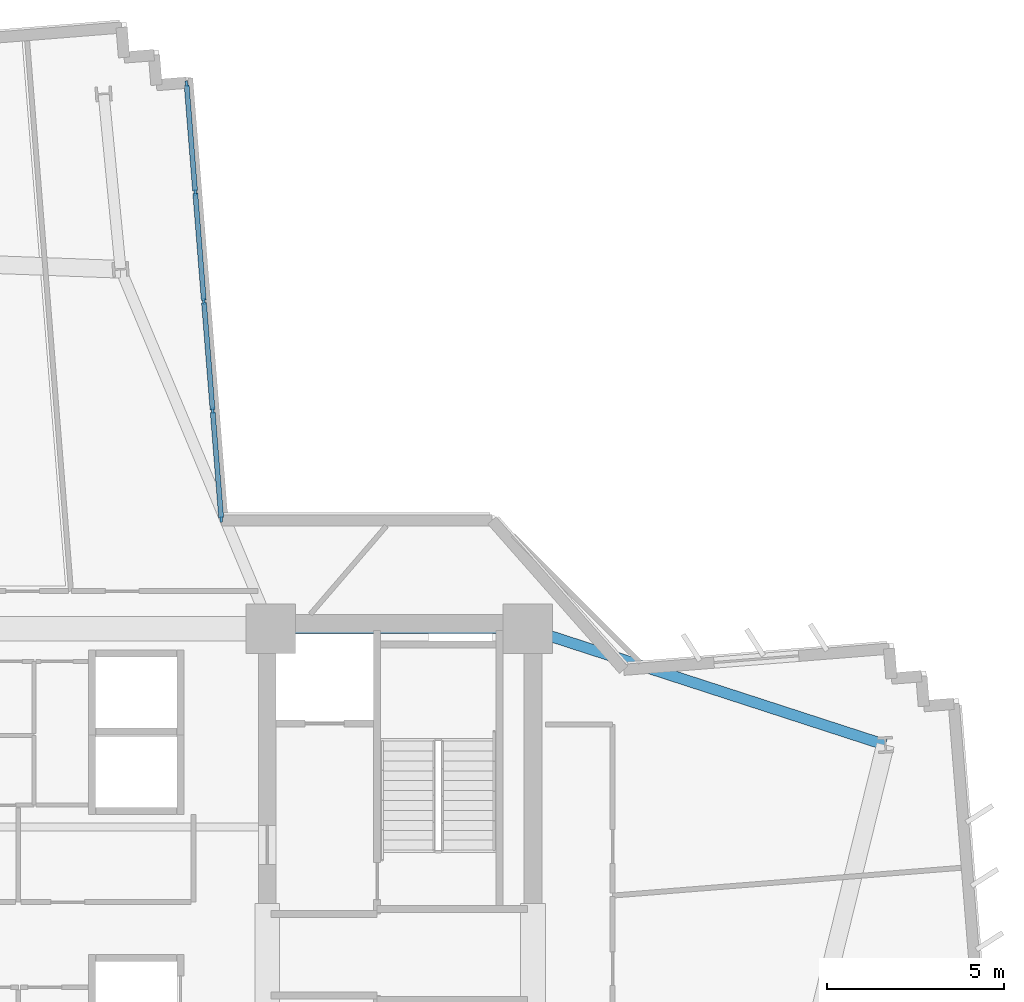
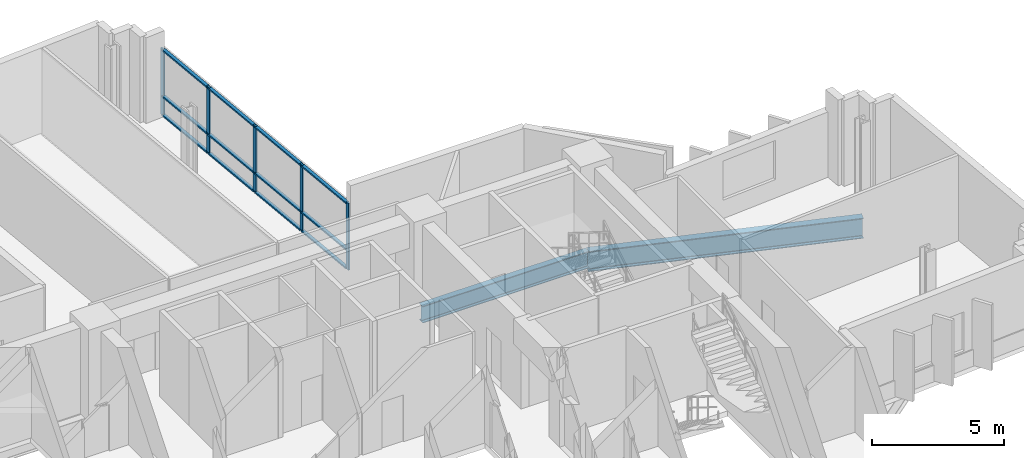
# One storey, part 4 of 15: 17 members, 2 beams, 1 element without a shape of its own.
"""IFC4 building model written with IfcOpenShell, lengths in metres."""

from ifc_helpers import new_model, si_unit, direction, frame, origin, origin_2d, place, context, subcontext, project, spatial, rectangle, i_section, extrude, source, transform, mapped, material, layer, layer_set, material_profile, profile_set, type_object, element, aggregate, save


model = new_model("IFC4")

# Units and contexts
model_context = context("Model", 3, precision=1e-05, world=origin(), true_north=direction((0.0, 1.0)))
body_context = subcontext(model_context, "Body", "Model", "MODEL_VIEW")
ifc_project = project(units=[si_unit("LENGTHUNIT", "METRE"), si_unit("AREAUNIT", "SQUARE_METRE"), si_unit("VOLUMEUNIT", "CUBIC_METRE"), si_unit("PLANEANGLEUNIT", "RADIAN"), si_unit("MASSUNIT", "GRAM", prefix="KILO")], contexts=[model_context])

# Site, building, storey
site_placement = place(None, origin())
site = spatial("IfcSite", under=ifc_project, at=site_placement, CompositionType="ELEMENT")
building_placement = place(site_placement, origin())
building = spatial("IfcBuilding", under=site, at=building_placement, Name="Zahravan Cultural Tower", CompositionType="ELEMENT")
storey_placement = place(building_placement, frame((0.0, 0.0, 83.699951171875)))
storey = spatial("IfcBuildingStorey", under=building, at=storey_placement, Name="L18", CompositionType="ELEMENT", Elevation=83.699951171875)

# Beams
ifc_material_1 = material(Name="Steel ASTM A992 Grade 50", Category="steel")
ifc_material_profile_1 = material_profile(ifc_material_1, i_section(OverallWidth=0.26611328125, OverallDepth=0.780029296875, WebThickness=0.0166015625, FlangeThickness=0.030029296875, FilletRadius=0.01904296875, at=origin_2d()), Name="W30X148")
ifc_profile_set_1 = profile_set([ifc_material_profile_1], Name="Steel ASTM A992 Grade 50")
beam_type_1 = type_object("IfcBeamType", Name="BM-G-W30X148", PredefinedType="BEAM", material=ifc_profile_set_1)
shared_shape_1 = source(origin(), body_context, "Body", "SweptSolid", [
    extrude(i_section(OverallWidth=0.26611328125, OverallDepth=0.780029296875, WebThickness=0.0166015625, FlangeThickness=0.030029296875, FilletRadius=0.01904296875, at=origin_2d()), origin(), (0.0, 0.0, 1.0), 7.25),
])
beam_1_placement = place(storey_placement, frame((43.10009765625, 36.199951171875, -0.639892578125), z_axis=(1.0, 0.0, 0.0), x_axis=(0.0, 1.0, 0.0)))
element("IfcBeam", 1, at=beam_1_placement, inside=storey, type_object=beam_type_1, Name="L18 Beam BG-L18-05", PredefinedType="BEAM", context=body_context, shape_type="MappedRepresentation", body=[
    mapped(shared_shape_1, transform((0.0, 0.0, 0.0), x_axis=(1.0, 0.0, 0.0), y_axis=(0.0, 1.0, 0.0), z_axis=(0.0, 0.0, 1.0), scale=1.0)),
])
ifc_material_profile_2 = material_profile(ifc_material_1, i_section(OverallWidth=0.30908203125, OverallDepth=0.931884765625, WebThickness=0.02099609375, FlangeThickness=0.034423828125, FilletRadius=0.02392578125, at=origin_2d()), Name="W36X210")
ifc_profile_set_2 = profile_set([ifc_material_profile_2], Name="Steel ASTM A992 Grade 50")
beam_type_2 = type_object("IfcBeamType", Name="BM-G-W36X210", PredefinedType="BEAM", material=ifc_profile_set_2)
shared_shape_2 = source(origin(), body_context, "Body", "SweptSolid", [
    extrude(i_section(OverallWidth=0.30908203125, OverallDepth=0.931884765625, WebThickness=0.02099609375, FlangeThickness=0.034423828125, FilletRadius=0.02392578125, at=origin_2d()), origin(), (0.0, 0.0, 1.0), 10.615966796875),
])
beam_2_placement = place(storey_placement, frame((50.35009765625, 36.199951171875, -0.716064453125), z_axis=(0.951063640083, -0.30899506875, 0.0), x_axis=(0.30899506875, 0.951063640083, 0.0)))
element("IfcBeam", 2, at=beam_2_placement, inside=storey, type_object=beam_type_2, Name="L18 Beam BG-L18-11", PredefinedType="BEAM", context=body_context, shape_type="MappedRepresentation", body=[
    mapped(shared_shape_2, transform((0.0, 0.0, 0.0), x_axis=(1.0, 0.0, 0.0), y_axis=(0.0, 1.0, 0.0), z_axis=(0.0, 0.0, 1.0), scale=1.0)),
])

# Curtain wall, members
ifc_material_2 = material(Name="Anodised bronze-aluminium mullion", Category="aluminium")
ifc_layer = layer(ifc_material_2, 0.179931640625)
ifc_layer_set = layer_set([ifc_layer], Name="Anodised bronze-aluminium mullion")
curtain_wall_type = type_object("IfcCurtainWallType", Name="CW-SYS-3", PredefinedType="USERDEFINED", material=ifc_layer_set)
curtain_wall_placement = place(storey_placement, origin())
curtain_wall = element("IfcCurtainWall", 3, at=curtain_wall_placement, inside=storey, type_object=curtain_wall_type, Name="L18 Recessed Curtain Wall CW-3.2", ObjectType="RECESSED GLAZING", PredefinedType="USERDEFINED")
ifc_material_profile_3 = material_profile(ifc_material_2, rectangle(XDim=0.070068359375, YDim=0.179931640625, at=origin_2d()), Name="AL-M70X180")
ifc_profile_set_3 = profile_set([ifc_material_profile_3], Name="Anodised bronze-aluminium mullion")
member_type_1 = type_object("IfcMemberType", Name="CWM-CW-3", PredefinedType="MULLION", material=ifc_profile_set_3)
shared_shape_3 = source(origin(), body_context, "Body", "SweptSolid", [
    extrude(rectangle(XDim=0.070068359375, YDim=0.179931640625, at=origin_2d()), origin(), (0.0, 0.0, 1.0), 3.070068359375),
])
member_1_placement = place(storey_placement, frame((40.720947265625, 51.578125, 0.0), z_axis=(0.0, 0.0, 1.0), x_axis=(0.996834749139, 0.079501464817, 0.0)))
member_1 = element("IfcMember", 4, at=member_1_placement, type_object=member_type_1, Name="CW-3 mullion 1", PredefinedType="MULLION", context=body_context, shape_type="MappedRepresentation", body=[
    mapped(shared_shape_3, transform((0.0, 0.0, 0.0), x_axis=(1.0, 0.0, 0.0), y_axis=(0.0, 1.0, 0.0), z_axis=(0.0, 0.0, 1.0), scale=1.0)),
])
member_2_placement = place(storey_placement, frame((40.964599609375, 48.524658203125, 0.0), z_axis=(0.0, 0.0, 1.0), x_axis=(0.996834749139, 0.079501464817, 0.0)))
member_2 = element("IfcMember", 5, at=member_2_placement, type_object=member_type_1, Name="CW-3 mullion 2", PredefinedType="MULLION", context=body_context, shape_type="MappedRepresentation", body=[
    mapped(shared_shape_3, transform((0.0, 0.0, 0.0), x_axis=(1.0, 0.0, 0.0), y_axis=(0.0, 1.0, 0.0), z_axis=(0.0, 0.0, 1.0), scale=1.0)),
])
member_3_placement = place(storey_placement, frame((41.210693359375, 45.4365234375, 0.0), z_axis=(0.0, 0.0, 1.0), x_axis=(0.996834749139, 0.079501464817, 0.0)))
member_3 = element("IfcMember", 6, at=member_3_placement, type_object=member_type_1, Name="CW-3 mullion 3", PredefinedType="MULLION", context=body_context, shape_type="MappedRepresentation", body=[
    mapped(shared_shape_3, transform((0.0, 0.0, 0.0), x_axis=(1.0, 0.0, 0.0), y_axis=(0.0, 1.0, 0.0), z_axis=(0.0, 0.0, 1.0), scale=1.0)),
])
member_4_placement = place(storey_placement, frame((41.45703125, 42.34814453125, 0.0), z_axis=(0.0, 0.0, 1.0), x_axis=(0.996834749139, 0.079501464817, 0.0)))
member_4 = element("IfcMember", 7, at=member_4_placement, type_object=member_type_1, Name="CW-3 mullion 4", PredefinedType="MULLION", context=body_context, shape_type="MappedRepresentation", body=[
    mapped(shared_shape_3, transform((0.0, 0.0, 0.0), x_axis=(1.0, 0.0, 0.0), y_axis=(0.0, 1.0, 0.0), z_axis=(0.0, 0.0, 1.0), scale=1.0)),
])
member_5_placement = place(storey_placement, frame((41.70068359375, 39.294921875, 0.0), z_axis=(0.0, 0.0, 1.0), x_axis=(0.996834749139, 0.079501464817, 0.0)))
member_5 = element("IfcMember", 8, at=member_5_placement, type_object=member_type_1, Name="CW-3 mullion 5", PredefinedType="MULLION", context=body_context, shape_type="MappedRepresentation", body=[
    mapped(shared_shape_3, transform((0.0, 0.0, 0.0), x_axis=(1.0, 0.0, 0.0), y_axis=(0.0, 1.0, 0.0), z_axis=(0.0, 0.0, 1.0), scale=1.0)),
])
ifc_material_profile_4 = material_profile(ifc_material_2, rectangle(XDim=0.139892578125, YDim=0.070068359375, at=origin_2d()), Name="AL-T70X140")
ifc_profile_set_4 = profile_set([ifc_material_profile_4], Name="Anodised bronze-aluminium mullion")
member_type_2 = type_object("IfcMemberType", Name="CWT-CW-3", PredefinedType="USERDEFINED", material=ifc_profile_set_4)
shared_shape_4 = source(origin(), body_context, "Body", "SweptSolid", [
    extrude(rectangle(XDim=0.139892578125, YDim=0.070068359375, at=origin_2d()), origin(), (0.0, 0.0, 1.0), 2.9931640625),
])
member_6_placement = place(storey_placement, frame((40.723876953125, 51.543212890625, 0.03515625), z_axis=(0.079446958373, -0.996839094742, 0.0), x_axis=(0.996839094742, 0.079446958373, 0.0)))
member_6 = element("IfcMember", 9, at=member_6_placement, type_object=member_type_2, Name="CW-3 transom 1.1", ObjectType="TRANSOM", PredefinedType="USERDEFINED", context=body_context, shape_type="MappedRepresentation", body=[
    mapped(shared_shape_4, transform((0.0, 0.0, 0.0), x_axis=(1.0, 0.0, 0.0), y_axis=(0.0, 1.0, 0.0), z_axis=(0.0, 0.0, 1.0), scale=1.0)),
])
member_7_placement = place(storey_placement, frame((40.723876953125, 51.543212890625, 0.900146484375), z_axis=(0.079446958373, -0.996839094742, 0.0), x_axis=(0.996839094742, 0.079446958373, 0.0)))
member_7 = element("IfcMember", 10, at=member_7_placement, type_object=member_type_2, Name="CW-3 transom 1.2", ObjectType="TRANSOM", PredefinedType="USERDEFINED", context=body_context, shape_type="MappedRepresentation", body=[
    mapped(shared_shape_4, transform((0.0, 0.0, 0.0), x_axis=(1.0, 0.0, 0.0), y_axis=(0.0, 1.0, 0.0), z_axis=(0.0, 0.0, 1.0), scale=1.0)),
])
member_8_placement = place(storey_placement, frame((40.723876953125, 51.543212890625, 3.03515625), z_axis=(0.079446958373, -0.996839094742, 0.0), x_axis=(0.996839094742, 0.079446958373, 0.0)))
member_8 = element("IfcMember", 11, at=member_8_placement, type_object=member_type_2, Name="CW-3 transom 1.3", ObjectType="TRANSOM", PredefinedType="USERDEFINED", context=body_context, shape_type="MappedRepresentation", body=[
    mapped(shared_shape_4, transform((0.0, 0.0, 0.0), x_axis=(1.0, 0.0, 0.0), y_axis=(0.0, 1.0, 0.0), z_axis=(0.0, 0.0, 1.0), scale=1.0)),
])
member_9_placement = place(storey_placement, frame((41.4599609375, 42.3134765625, 0.03515625), z_axis=(0.079446958373, -0.996839094742, 0.0), x_axis=(0.996839094742, 0.079446958373, 0.0)))
member_9 = element("IfcMember", 12, at=member_9_placement, type_object=member_type_2, Name="CW-3 transom 4.1", ObjectType="TRANSOM", PredefinedType="USERDEFINED", context=body_context, shape_type="MappedRepresentation", body=[
    mapped(shared_shape_4, transform((0.0, 0.0, 0.0), x_axis=(1.0, 0.0, 0.0), y_axis=(0.0, 1.0, 0.0), z_axis=(0.0, 0.0, 1.0), scale=1.0)),
])
member_10_placement = place(storey_placement, frame((41.4599609375, 42.3134765625, 0.900146484375), z_axis=(0.079446958373, -0.996839094742, 0.0), x_axis=(0.996839094742, 0.079446958373, 0.0)))
member_10 = element("IfcMember", 13, at=member_10_placement, type_object=member_type_2, Name="CW-3 transom 4.2", ObjectType="TRANSOM", PredefinedType="USERDEFINED", context=body_context, shape_type="MappedRepresentation", body=[
    mapped(shared_shape_4, transform((0.0, 0.0, 0.0), x_axis=(1.0, 0.0, 0.0), y_axis=(0.0, 1.0, 0.0), z_axis=(0.0, 0.0, 1.0), scale=1.0)),
])
member_11_placement = place(storey_placement, frame((41.4599609375, 42.3134765625, 3.03515625), z_axis=(0.079446958373, -0.996839094742, 0.0), x_axis=(0.996839094742, 0.079446958373, 0.0)))
member_11 = element("IfcMember", 14, at=member_11_placement, type_object=member_type_2, Name="CW-3 transom 4.3", ObjectType="TRANSOM", PredefinedType="USERDEFINED", context=body_context, shape_type="MappedRepresentation", body=[
    mapped(shared_shape_4, transform((0.0, 0.0, 0.0), x_axis=(1.0, 0.0, 0.0), y_axis=(0.0, 1.0, 0.0), z_axis=(0.0, 0.0, 1.0), scale=1.0)),
])
shared_shape_5 = source(origin(), body_context, "Body", "SweptSolid", [
    extrude(rectangle(XDim=0.139892578125, YDim=0.070068359375, at=origin_2d()), origin(), (0.0, 0.0, 1.0), 3.02783203125),
])
member_12_placement = place(storey_placement, frame((40.96728515625, 48.48974609375, 0.03515625), z_axis=(0.079501661987, -0.996834733414, 0.0), x_axis=(0.996834733414, 0.079501661987, 0.0)))
member_12 = element("IfcMember", 15, at=member_12_placement, type_object=member_type_2, Name="CW-3 transom 2.1", ObjectType="TRANSOM", PredefinedType="USERDEFINED", context=body_context, shape_type="MappedRepresentation", body=[
    mapped(shared_shape_5, transform((0.0, 0.0, 0.0), x_axis=(1.0, 0.0, 0.0), y_axis=(0.0, 1.0, 0.0), z_axis=(0.0, 0.0, 1.0), scale=1.0)),
])
member_13_placement = place(storey_placement, frame((40.96728515625, 48.48974609375, 0.900146484375), z_axis=(0.079501661987, -0.996834733414, 0.0), x_axis=(0.996834733414, 0.079501661987, 0.0)))
member_13 = element("IfcMember", 16, at=member_13_placement, type_object=member_type_2, Name="CW-3 transom 2.2", ObjectType="TRANSOM", PredefinedType="USERDEFINED", context=body_context, shape_type="MappedRepresentation", body=[
    mapped(shared_shape_5, transform((0.0, 0.0, 0.0), x_axis=(1.0, 0.0, 0.0), y_axis=(0.0, 1.0, 0.0), z_axis=(0.0, 0.0, 1.0), scale=1.0)),
])
member_14_placement = place(storey_placement, frame((40.96728515625, 48.48974609375, 3.03515625), z_axis=(0.079501661987, -0.996834733414, 0.0), x_axis=(0.996834733414, 0.079501661987, 0.0)))
member_14 = element("IfcMember", 17, at=member_14_placement, type_object=member_type_2, Name="CW-3 transom 2.3", ObjectType="TRANSOM", PredefinedType="USERDEFINED", context=body_context, shape_type="MappedRepresentation", body=[
    mapped(shared_shape_5, transform((0.0, 0.0, 0.0), x_axis=(1.0, 0.0, 0.0), y_axis=(0.0, 1.0, 0.0), z_axis=(0.0, 0.0, 1.0), scale=1.0)),
])
shared_shape_6 = source(origin(), body_context, "Body", "SweptSolid", [
    extrude(rectangle(XDim=0.139892578125, YDim=0.070068359375, at=origin_2d()), origin(), (0.0, 0.0, 1.0), 3.028076171875),
])
member_15_placement = place(storey_placement, frame((41.213623046875, 45.401611328125, 0.03515625), z_axis=(0.079495272531, -0.996835242979, 0.0), x_axis=(0.996835242979, 0.079495272531, 0.0)))
member_15 = element("IfcMember", 18, at=member_15_placement, type_object=member_type_2, Name="CW-3 transom 3.1", ObjectType="TRANSOM", PredefinedType="USERDEFINED", context=body_context, shape_type="MappedRepresentation", body=[
    mapped(shared_shape_6, transform((0.0, 0.0, 0.0), x_axis=(1.0, 0.0, 0.0), y_axis=(0.0, 1.0, 0.0), z_axis=(0.0, 0.0, 1.0), scale=1.0)),
])
member_16_placement = place(storey_placement, frame((41.213623046875, 45.401611328125, 0.900146484375), z_axis=(0.079495272531, -0.996835242979, 0.0), x_axis=(0.996835242979, 0.079495272531, 0.0)))
member_16 = element("IfcMember", 19, at=member_16_placement, type_object=member_type_2, Name="CW-3 transom 3.2", ObjectType="TRANSOM", PredefinedType="USERDEFINED", context=body_context, shape_type="MappedRepresentation", body=[
    mapped(shared_shape_6, transform((0.0, 0.0, 0.0), x_axis=(1.0, 0.0, 0.0), y_axis=(0.0, 1.0, 0.0), z_axis=(0.0, 0.0, 1.0), scale=1.0)),
])
member_17_placement = place(storey_placement, frame((41.213623046875, 45.401611328125, 3.03515625), z_axis=(0.079495272531, -0.996835242979, 0.0), x_axis=(0.996835242979, 0.079495272531, 0.0)))
member_17 = element("IfcMember", 20, at=member_17_placement, type_object=member_type_2, Name="CW-3 transom 3.3", ObjectType="TRANSOM", PredefinedType="USERDEFINED", context=body_context, shape_type="MappedRepresentation", body=[
    mapped(shared_shape_6, transform((0.0, 0.0, 0.0), x_axis=(1.0, 0.0, 0.0), y_axis=(0.0, 1.0, 0.0), z_axis=(0.0, 0.0, 1.0), scale=1.0)),
])
aggregate(curtain_wall, [member_1, member_2, member_3, member_4, member_5, member_6, member_7, member_8, member_12, member_13, member_14, member_15, member_16, member_17, member_9, member_10, member_11])

save(model, "model.ifc")
